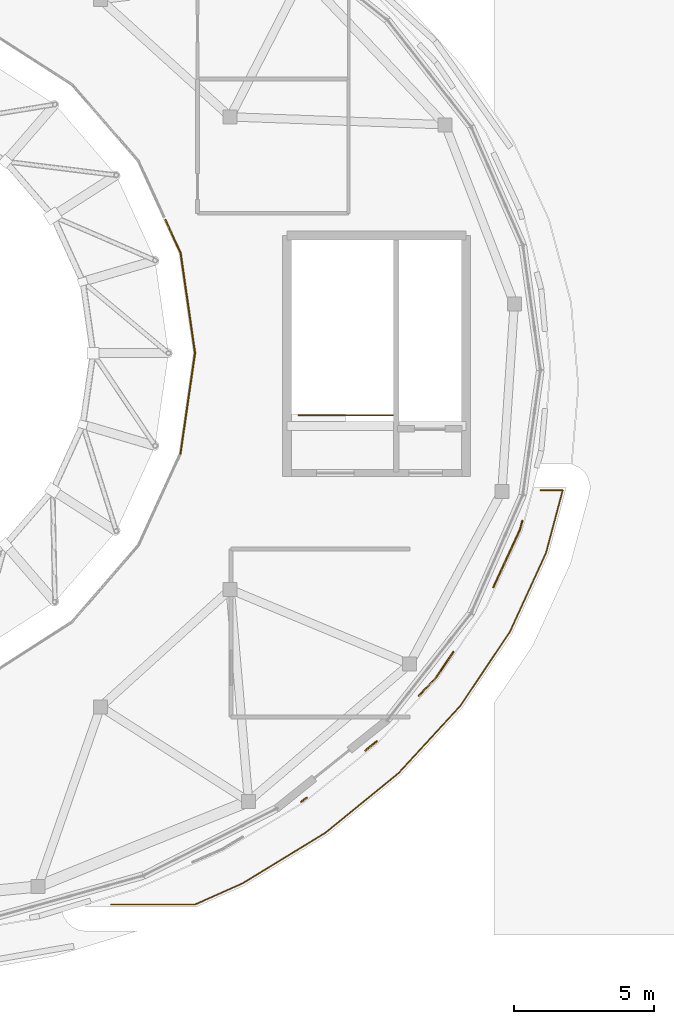
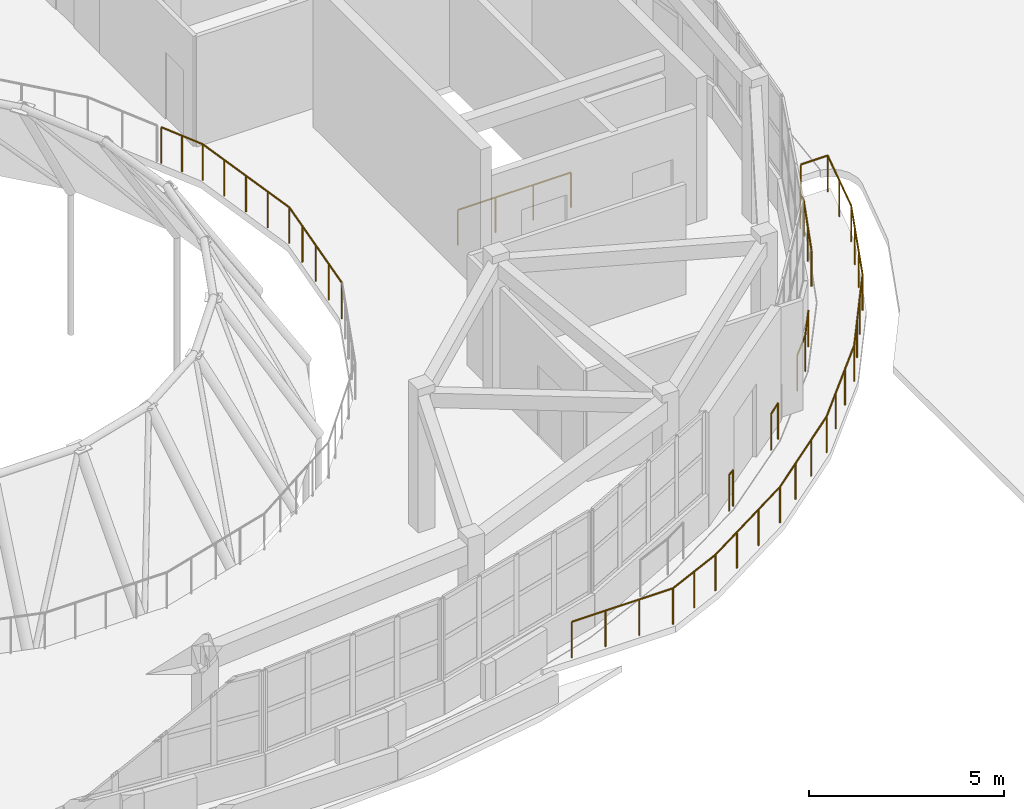
# One storey, part 37 of 38: 7 railings.
"""IFC4 building model written with IfcOpenShell, lengths in metres."""

from ifc_helpers import new_model, si_unit, direction, frame, origin, origin_2d, place, context, subcontext, project, spatial, circle, extrude, material, type_object, element, save


model = new_model("IFC4")

# Units and contexts
model_context = context("Model", 3, precision=1e-05, world=origin(), true_north=direction((0.0, 1.0)))
body_context = subcontext(model_context, "Body", "Model", "MODEL_VIEW")
ifc_project = project(units=[si_unit("LENGTHUNIT", "METRE"), si_unit("AREAUNIT", "SQUARE_METRE"), si_unit("VOLUMEUNIT", "CUBIC_METRE"), si_unit("PLANEANGLEUNIT", "RADIAN"), si_unit("MASSUNIT", "GRAM", prefix="KILO")], contexts=[model_context])

# Site, building, storey
site_placement = place(None, origin())
site = spatial("IfcSite", under=ifc_project, at=site_placement, CompositionType="ELEMENT")
building_placement = place(site_placement, origin())
building = spatial("IfcBuilding", under=site, at=building_placement, Name="Pelvatis Terrace Science Centre", CompositionType="ELEMENT")
storey_placement = place(building_placement, frame((0.0, 0.0, 24.300048828125)))
storey = spatial("IfcBuildingStorey", under=building, at=storey_placement, Name="L05", CompositionType="ELEMENT", Elevation=24.300048828125)

# Railings
ifc_material_1 = material(Name="Bronze-anodised aluminium and laminated safety glass balustrade", Category="aluminium")
railing_type_1 = type_object("IfcRailingType", Name="RLG-BAL-1150", PredefinedType="BALUSTRADE", material=ifc_material_1)
railing_1_placement = place(storey_placement, frame((134.253173828125, 80.89990234375, 0.0)))
element("IfcRailing", 1, at=railing_1_placement, inside=storey, type_object=railing_type_1, Name="Outdoor terrace safety balustrade RLG-TER-L05-5", PredefinedType="BALUSTRADE", context=body_context, shape_type="SweptSolid", body=[
    extrude(circle(Radius=0.02392578125, at=origin_2d()), frame((0.0, 0.0, 1.1259765625), z_axis=(1.0, 0.0, 0.0), x_axis=(0.0, 1.0, 0.0)), (0.0, 0.0, 1.0), 0.796630859375),
    extrude(circle(Radius=0.02392578125, at=origin_2d()), frame((0.796630859375, 0.0, 1.1259765625), z_axis=(-0.257826595548, -0.966191206039, 0.0), x_axis=(0.966191206039, -0.257826595548, 0.0)), (0.0, 0.0, 1.0), 2.317138671875),
    extrude(circle(Radius=0.02392578125, at=origin_2d()), frame((0.19921875, -2.23876953125, 1.1259765625), z_axis=(-0.415979366375, -0.909374052165, 0.0), x_axis=(0.909374052165, -0.415979366375, 0.0)), (0.0, 0.0, 1.0), 3.10009765625),
    extrude(circle(Radius=0.02392578125, at=origin_2d()), frame((-1.09033203125, -5.057861328125, 1.1259765625), z_axis=(-0.556435671171, -0.830890693081, 0.0), x_axis=(0.830890693081, -0.556435671171, 0.0)), (0.0, 0.0, 1.0), 3.17919921875),
    extrude(circle(Radius=0.02392578125, at=origin_2d()), frame((-2.859375, -7.699462890625, 1.1259765625), z_axis=(-0.676285229813, -0.736639863119, 0.0), x_axis=(0.736639863119, -0.676285229813, 0.0)), (0.0, 0.0, 1.0), 3.2724609375),
    extrude(circle(Radius=0.02392578125, at=origin_2d()), frame((-5.072509765625, -10.110107421875, 1.1259765625), z_axis=(-0.775011592276, -0.631947016638, 0.0), x_axis=(0.631947016638, -0.775011592276, 0.0)), (0.0, 0.0, 1.0), 3.370361328125),
    extrude(circle(Radius=0.02392578125, at=origin_2d()), frame((-7.6845703125, -12.239990234375, 1.1259765625), z_axis=(-0.853546374083, -0.521016878123, 0.0), x_axis=(0.521016878123, -0.853546374083, 0.0)), (0.0, 0.0, 1.0), 3.466064453125),
    extrude(circle(Radius=0.02392578125, at=origin_2d()), frame((-10.64306640625, -14.0458984375, 1.1259765625), z_axis=(-0.913594214202, -0.406627116382, 0.0), x_axis=(0.406627116382, -0.913594214202, 0.0)), (0.0, 0.0, 1.0), 1.85400390625),
    extrude(circle(Radius=0.02392578125, at=origin_2d()), frame((-12.3369140625, -14.7998046875, 1.1259765625), z_axis=(-1.0, 0.0, 0.0), x_axis=(0.0, -1.0, 0.0)), (0.0, 0.0, 1.0), 3.003173828125),
    extrude(circle(Radius=0.02099609375, at=origin_2d()), origin(), (0.0, 0.0, 1.0), 1.101806640625),
    extrude(circle(Radius=0.02099609375, at=origin_2d()), frame((0.796630859375, 0.0, 0.0)), (0.0, 0.0, 1.0), 1.101806640625),
    extrude(circle(Radius=0.02099609375, at=origin_2d()), frame((0.498046875, -1.119384765625, 0.0)), (0.0, 0.0, 1.0), 1.101806640625),
    extrude(circle(Radius=0.02099609375, at=origin_2d()), frame((0.19921875, -2.23876953125, 0.0)), (0.0, 0.0, 1.0), 1.101806640625),
    extrude(circle(Radius=0.02099609375, at=origin_2d()), frame((-0.230712890625, -3.178466796875, 0.0)), (0.0, 0.0, 1.0), 1.101806640625),
    extrude(circle(Radius=0.02099609375, at=origin_2d()), frame((-0.660400390625, -4.1181640625, 0.0)), (0.0, 0.0, 1.0), 1.101806640625),
    extrude(circle(Radius=0.02099609375, at=origin_2d()), frame((-1.09033203125, -5.057861328125, 0.0)), (0.0, 0.0, 1.0), 1.101806640625),
    extrude(circle(Radius=0.02099609375, at=origin_2d()), frame((-1.679931640625, -5.9384765625, 0.0)), (0.0, 0.0, 1.0), 1.101806640625),
    extrude(circle(Radius=0.02099609375, at=origin_2d()), frame((-2.269775390625, -6.81884765625, 0.0)), (0.0, 0.0, 1.0), 1.101806640625),
    extrude(circle(Radius=0.02099609375, at=origin_2d()), frame((-2.859375, -7.699462890625, 0.0)), (0.0, 0.0, 1.0), 1.101806640625),
    extrude(circle(Radius=0.02099609375, at=origin_2d()), frame((-3.59716796875, -8.5029296875, 0.0)), (0.0, 0.0, 1.0), 1.101806640625),
    extrude(circle(Radius=0.02099609375, at=origin_2d()), frame((-4.334716796875, -9.306640625, 0.0)), (0.0, 0.0, 1.0), 1.101806640625),
    extrude(circle(Radius=0.02099609375, at=origin_2d()), frame((-5.072509765625, -10.110107421875, 0.0)), (0.0, 0.0, 1.0), 1.101806640625),
    extrude(circle(Radius=0.02099609375, at=origin_2d()), frame((-5.943115234375, -10.820068359375, 0.0)), (0.0, 0.0, 1.0), 1.101806640625),
    extrude(circle(Radius=0.02099609375, at=origin_2d()), frame((-6.81396484375, -11.530029296875, 0.0)), (0.0, 0.0, 1.0), 1.101806640625),
    extrude(circle(Radius=0.02099609375, at=origin_2d()), frame((-7.6845703125, -12.239990234375, 0.0)), (0.0, 0.0, 1.0), 1.101806640625),
    extrude(circle(Radius=0.02099609375, at=origin_2d()), frame((-8.670654296875, -12.842041015625, 0.0)), (0.0, 0.0, 1.0), 1.101806640625),
    extrude(circle(Radius=0.02099609375, at=origin_2d()), frame((-9.656982421875, -13.44384765625, 0.0)), (0.0, 0.0, 1.0), 1.101806640625),
    extrude(circle(Radius=0.02099609375, at=origin_2d()), frame((-10.64306640625, -14.0458984375, 0.0)), (0.0, 0.0, 1.0), 1.101806640625),
    extrude(circle(Radius=0.02099609375, at=origin_2d()), frame((-11.489990234375, -14.4228515625, 0.0)), (0.0, 0.0, 1.0), 1.101806640625),
    extrude(circle(Radius=0.02099609375, at=origin_2d()), frame((-12.3369140625, -14.7998046875, 0.0)), (0.0, 0.0, 1.0), 1.101806640625),
    extrude(circle(Radius=0.02099609375, at=origin_2d()), frame((-13.337890625, -14.7998046875, 0.0)), (0.0, 0.0, 1.0), 1.101806640625),
    extrude(circle(Radius=0.02099609375, at=origin_2d()), frame((-14.339111328125, -14.7998046875, 0.0)), (0.0, 0.0, 1.0), 1.101806640625),
    extrude(circle(Radius=0.02099609375, at=origin_2d()), frame((-15.340087890625, -14.7998046875, 0.0)), (0.0, 0.0, 1.0), 1.101806640625),
])
railing_2_placement = place(storey_placement, frame((133.60498046875, 79.807373046875, 0.0)))
element("IfcRailing", 2, at=railing_2_placement, inside=storey, type_object=railing_type_1, Name="Perimeter edge balustrade RLG-EDG-L05-455", PredefinedType="BALUSTRADE", context=body_context, shape_type="SweptSolid", body=[
    extrude(circle(Radius=0.02392578125, at=origin_2d()), frame((0.0, 0.0, 1.1259765625), z_axis=(-0.261744108859, -0.965137307059, 0.0), x_axis=(0.965137307059, -0.261744108859, 0.0)), (0.0, 0.0, 1.0), 0.345947265625),
    extrude(circle(Radius=0.02392578125, at=origin_2d()), frame((-0.090576171875, -0.333984375, 1.1259765625), z_axis=(-0.421114494477, -0.907007487589, 0.0), x_axis=(0.907007487589, -0.421114494477, 0.0)), (0.0, 0.0, 1.0), 2.25),
    extrude(circle(Radius=0.02099609375, at=origin_2d()), origin(), (0.0, 0.0, 1.0), 1.101806640625),
    extrude(circle(Radius=0.02099609375, at=origin_2d()), frame((-0.090576171875, -0.333984375, 0.0)), (0.0, 0.0, 1.0), 1.101806640625),
    extrude(circle(Radius=0.02099609375, at=origin_2d()), frame((-0.564453125, -1.3544921875, 0.0)), (0.0, 0.0, 1.0), 1.101806640625),
    extrude(circle(Radius=0.02099609375, at=origin_2d()), frame((-1.0380859375, -2.374755859375, 0.0)), (0.0, 0.0, 1.0), 1.101806640625),
])
railing_3_placement = place(storey_placement, frame((131.144287109375, 75.12548828125, 0.0)))
element("IfcRailing", 3, at=railing_3_placement, inside=storey, type_object=railing_type_1, Name="Perimeter edge balustrade RLG-EDG-L05-456", PredefinedType="BALUSTRADE", context=body_context, shape_type="SweptSolid", body=[
    extrude(circle(Radius=0.02392578125, at=origin_2d()), frame((0.0, 0.0, 1.1259765625), z_axis=(-0.562297977384, -0.826934691877, 0.0), x_axis=(0.826934691877, -0.562297977384, 0.0)), (0.0, 0.0, 1.0), 1.10888671875),
    extrude(circle(Radius=0.02392578125, at=origin_2d()), frame((-0.62353515625, -0.9169921875, 1.1259765625), z_axis=(-0.681745478999, -0.731589435315, 0.0), x_axis=(0.731589435315, -0.681745478999, 0.0)), (0.0, 0.0, 1.0), 0.896240234375),
    extrude(circle(Radius=0.02099609375, at=origin_2d()), origin(), (0.0, 0.0, 1.0), 1.101806640625),
    extrude(circle(Radius=0.02099609375, at=origin_2d()), frame((-0.62353515625, -0.9169921875, 0.0)), (0.0, 0.0, 1.0), 1.101806640625),
    extrude(circle(Radius=0.02099609375, at=origin_2d()), frame((-1.234619140625, -1.57275390625, 0.0)), (0.0, 0.0, 1.0), 1.101806640625),
])
railing_4_placement = place(storey_placement, frame((128.39990234375, 71.932861328125, 0.0)))
element("IfcRailing", 4, at=railing_4_placement, inside=storey, type_object=railing_type_1, Name="Perimeter edge balustrade RLG-EDG-L05-457", PredefinedType="BALUSTRADE", context=body_context, shape_type="SweptSolid", body=[
    extrude(circle(Radius=0.02392578125, at=origin_2d()), frame((0.0, 0.0, 1.1259765625), z_axis=(-0.768221279597, -0.640184399664, 0.0), x_axis=(0.640184399664, -0.768221279597, 0.0)), (0.0, 0.0, 1.0), 0.5185546875),
    extrude(circle(Radius=0.02099609375, at=origin_2d()), origin(), (0.0, 0.0, 1.0), 1.101806640625),
    extrude(circle(Radius=0.02099609375, at=origin_2d()), frame((-0.3984375, -0.33203125, 0.0)), (0.0, 0.0, 1.0), 1.101806640625),
])
railing_5_placement = place(storey_placement, frame((125.89794921875, 69.91162109375, 0.0)))
element("IfcRailing", 5, at=railing_5_placement, inside=storey, type_object=railing_type_1, Name="Perimeter edge balustrade RLG-EDG-L05-458", PredefinedType="BALUSTRADE", context=body_context, shape_type="SweptSolid", body=[
    extrude(circle(Radius=0.02392578125, at=origin_2d()), frame((0.0, 0.0, 1.1259765625), z_axis=(-0.817504247727, -0.575922568536, 0.0), x_axis=(0.575922568536, -0.817504247727, 0.0)), (0.0, 0.0, 1.0), 0.239501953125),
    extrude(circle(Radius=0.02099609375, at=origin_2d()), origin(), (0.0, 0.0, 1.0), 1.101806640625),
    extrude(circle(Radius=0.02099609375, at=origin_2d()), frame((-0.19580078125, -0.137939453125, 0.0)), (0.0, 0.0, 1.0), 1.101806640625),
])
railing_6_placement = place(storey_placement, frame((121.389892578125, 82.205810546875, 0.0)))
element("IfcRailing", 6, at=railing_6_placement, inside=storey, type_object=railing_type_1, Name="Perimeter edge balustrade RLG-EDG-L05-474", PredefinedType="BALUSTRADE", context=body_context, shape_type="SweptSolid", body=[
    extrude(circle(Radius=0.02392578125, at=origin_2d()), frame((0.0, 0.0, 1.1259765625), z_axis=(0.142698615865, 0.989766187051, 0.0), x_axis=(-0.989766187051, 0.142698615865, 0.0)), (0.0, 0.0, 1.0), 3.63916015625),
    extrude(circle(Radius=0.02392578125, at=origin_2d()), frame((0.519287109375, 3.601806640625, 1.1259765625), z_axis=(-0.142322674553, 0.989820315162, 0.0), x_axis=(-0.989820315162, -0.142322674553, 0.0)), (0.0, 0.0, 1.0), 3.602294921875),
    extrude(circle(Radius=0.02392578125, at=origin_2d()), frame((0.006591796875, 7.16748046875, 1.1259765625), z_axis=(-0.413563029303, 0.910475491594, 0.0), x_axis=(-0.910475491594, -0.413563029303, 0.0)), (0.0, 0.0, 1.0), 1.303466796875),
    extrude(circle(Radius=0.02099609375, at=origin_2d()), origin(), (0.0, 0.0, 1.0), 1.101806640625),
    extrude(circle(Radius=0.02099609375, at=origin_2d()), frame((0.1298828125, 0.900390625, 0.0)), (0.0, 0.0, 1.0), 1.101806640625),
    extrude(circle(Radius=0.02099609375, at=origin_2d()), frame((0.259765625, 1.80078125, 0.0)), (0.0, 0.0, 1.0), 1.101806640625),
    extrude(circle(Radius=0.02099609375, at=origin_2d()), frame((0.389404296875, 2.701416015625, 0.0)), (0.0, 0.0, 1.0), 1.101806640625),
    extrude(circle(Radius=0.02099609375, at=origin_2d()), frame((0.519287109375, 3.601806640625, 0.0)), (0.0, 0.0, 1.0), 1.101806640625),
    extrude(circle(Radius=0.02099609375, at=origin_2d()), frame((0.39111328125, 4.4931640625, 0.0)), (0.0, 0.0, 1.0), 1.101806640625),
    extrude(circle(Radius=0.02099609375, at=origin_2d()), frame((0.262939453125, 5.384765625, 0.0)), (0.0, 0.0, 1.0), 1.101806640625),
    extrude(circle(Radius=0.02099609375, at=origin_2d()), frame((0.134765625, 6.276123046875, 0.0)), (0.0, 0.0, 1.0), 1.101806640625),
    extrude(circle(Radius=0.02099609375, at=origin_2d()), frame((0.006591796875, 7.16748046875, 0.0)), (0.0, 0.0, 1.0), 1.101806640625),
    extrude(circle(Radius=0.02099609375, at=origin_2d()), frame((-0.262939453125, 7.7607421875, 0.0)), (0.0, 0.0, 1.0), 1.101806640625),
    extrude(circle(Radius=0.02099609375, at=origin_2d()), frame((-0.532470703125, 8.354248046875, 0.0)), (0.0, 0.0, 1.0), 1.101806640625),
])
ifc_material_2 = material(Name="Brushed architectural bronze tubular railing", Category="steel")
railing_type_2 = type_object("IfcRailingType", Name="RLG-GRD-1120", PredefinedType="GUARDRAIL", material=ifc_material_2)
railing_7_placement = place(storey_placement, frame((125.6201171875, 83.580078125, 0.0)))
element("IfcRailing", 7, at=railing_7_placement, inside=storey, type_object=railing_type_2, Name="Core C2 top-storey stair well guard", PredefinedType="GUARDRAIL", context=body_context, shape_type="SweptSolid", body=[
    extrude(circle(Radius=0.02392578125, at=origin_2d()), frame((0.0, 0.0, 1.09619140625), z_axis=(1.0, 0.0, 0.0), x_axis=(0.0, 1.0, 0.0)), (0.0, 0.0, 1.0), 3.35986328125),
    extrude(circle(Radius=0.02099609375, at=origin_2d()), origin(), (0.0, 0.0, 1.0), 1.072021484375),
    extrude(circle(Radius=0.02099609375, at=origin_2d()), frame((1.119873046875, 0.0, 0.0)), (0.0, 0.0, 1.0), 1.072021484375),
    extrude(circle(Radius=0.02099609375, at=origin_2d()), frame((2.239990234375, 0.0, 0.0)), (0.0, 0.0, 1.0), 1.072021484375),
    extrude(circle(Radius=0.02099609375, at=origin_2d()), frame((3.35986328125, 0.0, 0.0)), (0.0, 0.0, 1.0), 1.072021484375),
])

save(model, "model.ifc")
